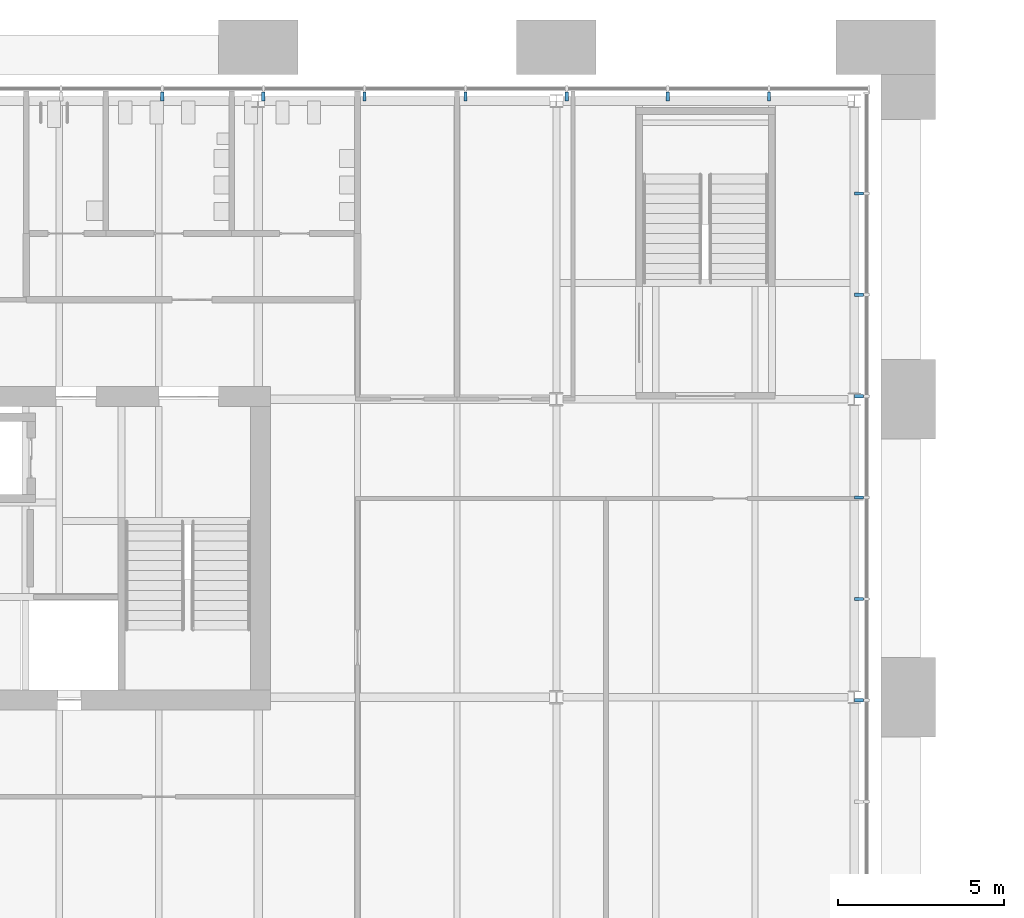
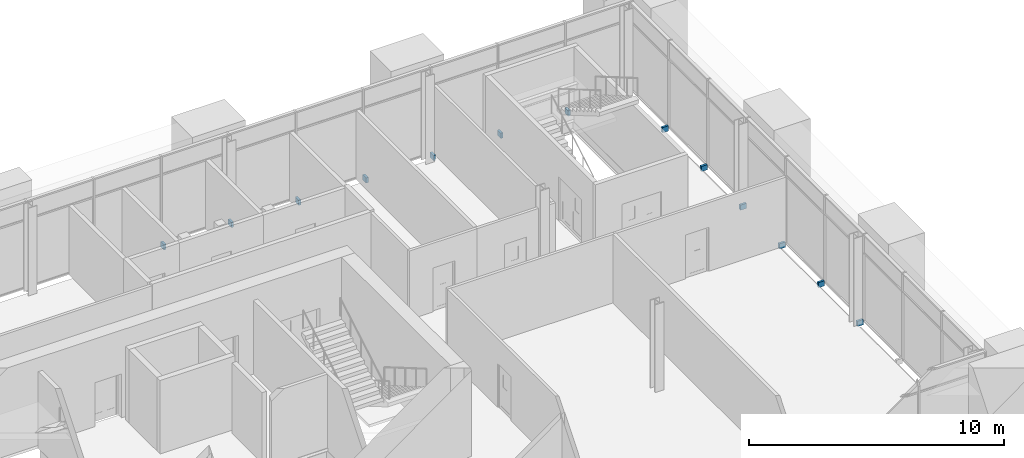
# One storey, part 35 of 43: 13 discrete accessories.
"""IFC4 building model written with IfcOpenShell, lengths in metres."""

import ifcopenshell
import ifcopenshell.guid

model = None  # the IFC model being written
_history = None  # IfcOwnerHistory: only IFC2X3 demands one
_inside = {}  # id of a spatial element -> (the spatial element, [elements in it])
_under = {}  # id of a project, library or spatial element -> (it, [spatial elements below it])
_declared = {}  # id of a project -> (the project, [libraries it declares])
_typed = {}  # id of a type object -> (the type object, [elements of that type])
_made_of = {}  # id of a material, layer set ... -> (it, [elements and type objects made of it])


def new_model(schema):
    """Start an empty IFC model of exactly this schema.

    Asked for "IFC4X3", IfcOpenShell would pick the latest addendum, in which some entities
    have other attributes; the version numbers below select the first issue.
    IFC2X3 requires an IfcOwnerHistory on every rooted entity: one is made here for all.
    """
    global model, _history
    if schema == "IFC4X3":
        model = ifcopenshell.file(schema_version=(4, 3, 0, 0))
    else:
        model = ifcopenshell.file(schema=schema)
    _inside.clear()
    _under.clear()
    _declared.clear()
    _typed.clear()
    _made_of.clear()
    _history = None
    if model.schema == "IFC2X3":
        org = make("IfcOrganization", Name="unknown")
        user = make(
            "IfcPersonAndOrganization",
            ThePerson=make("IfcPerson", FamilyName="unknown"),
            TheOrganization=org,
        )
        app = make(
            "IfcApplication",
            ApplicationDeveloper=org,
            Version="unknown",
            ApplicationFullName="unknown",
            ApplicationIdentifier="unknown",
        )
        _history = make(
            "IfcOwnerHistory",
            OwningUser=user,
            OwningApplication=app,
            ChangeAction="ADDED",
            CreationDate=0,
        )
    return model


def make(cls, **values):
    """One entity of the class cls with the attributes given. An attribute that is None is left unset."""
    return model.create_entity(
        cls, **{name: value for name, value in values.items() if value is not None}
    )


def rooted(cls, **values):
    """An entity with a GlobalId (a new one), such as an element, a storey or a relation."""
    return make(cls, GlobalId=ifcopenshell.guid.new(), OwnerHistory=_history, **values)


def si_unit(unit_type, name, prefix=None):
    """IfcSIUnit, for example si_unit("LENGTHUNIT", "METRE", prefix="MILLI")."""
    return make("IfcSIUnit", UnitType=unit_type, Prefix=prefix, Name=name)


def assignment(units):
    """IfcUnitAssignment: the units of a project."""
    return None if units is None else make("IfcUnitAssignment", Units=units)


def point(xyz):
    """IfcCartesianPoint."""
    return None if xyz is None else make("IfcCartesianPoint", Coordinates=xyz)


def direction(xyz):
    """IfcDirection."""
    return None if xyz is None else make("IfcDirection", DirectionRatios=xyz)


def frame(location, z_axis=None, x_axis=None):
    """IfcAxis2Placement3D, a coordinate frame: its origin and axes. An axis left out is left unset."""
    return make(
        "IfcAxis2Placement3D",
        Location=point(location),
        Axis=direction(z_axis),
        RefDirection=direction(x_axis),
    )


def frame_2d(location, x_axis=None):
    """IfcAxis2Placement2D, a coordinate frame in the plane: its origin and x axis."""
    return make(
        "IfcAxis2Placement2D", Location=point(location), RefDirection=direction(x_axis)
    )


def origin():
    """The frame at (0, 0, 0) with its axes left unset."""
    return frame((0.0, 0.0, 0.0))


def origin_2d():
    """The frame at (0, 0) in the plane with its x axis left unset."""
    return frame_2d((0.0, 0.0))


def place(relative_to, where):
    """IfcLocalPlacement: puts the frame where relative to a parent placement (None: the world)."""
    return make(
        "IfcLocalPlacement", PlacementRelTo=relative_to, RelativePlacement=where
    )


def context(
    kind, dimensions, precision=None, world=None, true_north=None, identifier=None
):
    """IfcGeometricRepresentationContext, for example the 3D "Model" context."""
    return make(
        "IfcGeometricRepresentationContext",
        ContextIdentifier=identifier,
        ContextType=kind,
        CoordinateSpaceDimension=dimensions,
        Precision=precision,
        WorldCoordinateSystem=world,
        TrueNorth=true_north,
    )


def subcontext(parent, identifier, kind, view, scale=None):
    """IfcGeometricRepresentationSubContext, for example "Body" below "Model"."""
    return make(
        "IfcGeometricRepresentationSubContext",
        ContextIdentifier=identifier,
        ContextType=kind,
        ParentContext=parent,
        TargetScale=scale,
        TargetView=view,
    )


def project(units=None, contexts=None):
    """IfcProject with its units and contexts."""
    return rooted(
        "IfcProject",
        Name="project",
        RepresentationContexts=contexts,
        UnitsInContext=assignment(units),
    )


def spatial(cls, under=None, at=None, **own):
    """A site, building, storey or space (cls), placed at a placement, below another one or the project."""
    s = rooted(cls, ObjectPlacement=at, **own)
    if under is not None:
        _under.setdefault(under.id(), (under, []))[1].append(s)
    return s


def profile(cls, at=None, kind="AREA", **sizes):
    """A parametric profile (cls). Its sizes go by their IFC names, for example OverallWidth=200.0."""
    return make(cls, ProfileType=kind, Position=at, **sizes)


def rectangle(**sizes):
    """IfcRectangleProfileDef."""
    return profile("IfcRectangleProfileDef", **sizes)


def extrude(swept, where, along, depth):
    """IfcExtrudedAreaSolid: the profile swept, set in the frame where, extruded along a direction by depth."""
    return make(
        "IfcExtrudedAreaSolid",
        SweptArea=swept,
        Position=where,
        ExtrudedDirection=direction(along),
        Depth=depth,
    )


def shape(context_of_items, identifier, shape_type, items):
    """IfcShapeRepresentation: the items that make up one representation, for example the "Body"."""
    return make(
        "IfcShapeRepresentation",
        ContextOfItems=context_of_items,
        RepresentationIdentifier=identifier,
        RepresentationType=shape_type,
        Items=items,
    )


def material(Name=None, Category=None):
    """IfcMaterial."""
    return make("IfcMaterial", Name=Name, Category=Category)


def made_of(thing, what):
    """Note that an element or type object is made of a material, layer set ...; save() writes the relation."""
    if what is not None:
        _made_of.setdefault(what.id(), (what, []))[1].append(thing)
    return thing


def type_object(cls, material=None, **own):
    """A type object (cls), such as IfcWallType, which elements share."""
    return made_of(rooted(cls, **own), material)


def element(
    cls,
    number,
    at=None,
    inside=None,
    cuts=None,
    type_object=None,
    material=None,
    context=None,
    identifier="Body",
    shape_type=None,
    held_by="IfcProductDefinitionShape",
    body=None,
    shapes=None,
    **own,
):
    """One element of the class cls, such as IfcWall. Its Tag is "e" and its number.

    at: its placement. inside: the storey or other place that contains it. cuts: it is an
    opening in that element (IfcRelVoidsElement). A single representation is given by context,
    identifier, shape_type and body (its items); several are given by shapes. held_by: the class
    of the entity that holds the representations. save() writes the other relations.
    """
    e = rooted(cls, Tag="e%d" % number, ObjectPlacement=at, **own)
    if body is not None:
        shapes = [shape(context, identifier, shape_type, body)]
    if shapes is not None:
        e.Representation = make(held_by, Representations=shapes)
    if inside is not None:
        _inside.setdefault(inside.id(), (inside, []))[1].append(e)
    if cuts is not None:
        rooted(
            "IfcRelVoidsElement", RelatingBuildingElement=cuts, RelatedOpeningElement=e
        )
    if type_object is not None:
        _typed.setdefault(type_object.id(), (type_object, []))[1].append(e)
    return made_of(e, material)


def aggregate(whole, parts):
    """IfcRelAggregates: a whole, such as a stair, and the parts it consists of."""
    return rooted("IfcRelAggregates", RelatingObject=whole, RelatedObjects=parts)


def save(model, path):
    """Write the relations noted so far, then the file.

    IfcRelAggregates (storeys below a building ...), IfcRelContainedInSpatialStructure (elements
    in a storey), IfcRelDefinesByType, IfcRelAssociatesMaterial and IfcRelDeclares: one each for
    every whole, place, type object, material and project.
    """
    for whole, parts in _under.values():
        aggregate(whole, parts)
    for where, things in _inside.values():
        rooted(
            "IfcRelContainedInSpatialStructure",
            RelatedElements=things,
            RelatingStructure=where,
        )
    for kind, things in _typed.values():
        rooted("IfcRelDefinesByType", RelatedObjects=things, RelatingType=kind)
    for what, things in _made_of.values():
        rooted("IfcRelAssociatesMaterial", RelatedObjects=things, RelatingMaterial=what)
    for by, libraries in _declared.values():
        rooted("IfcRelDeclares", RelatingContext=by, RelatedDefinitions=libraries)
    model.write(path)


model = new_model("IFC4")

# Units and contexts
model_context = context("Model", 3, precision=1e-05, world=origin(), true_north=direction((0.0, 1.0)))
body_context = subcontext(model_context, "Body", "Model", "MODEL_VIEW")
ifc_project = project(units=[si_unit("LENGTHUNIT", "METRE"), si_unit("AREAUNIT", "SQUARE_METRE"), si_unit("VOLUMEUNIT", "CUBIC_METRE"), si_unit("PLANEANGLEUNIT", "RADIAN"), si_unit("MASSUNIT", "GRAM", prefix="KILO")], contexts=[model_context])

# Site, building, storey
site_placement = place(None, origin())
site = spatial("IfcSite", under=ifc_project, at=site_placement, CompositionType="ELEMENT")
building_placement = place(site_placement, origin())
building = spatial("IfcBuilding", under=site, at=building_placement, Name="Baradari Gate Terminus", CompositionType="ELEMENT")
storey_placement = place(building_placement, frame((0.0, 0.0, 20.10009765625)))
storey = spatial("IfcBuildingStorey", under=building, at=storey_placement, Name="L04", CompositionType="ELEMENT", Elevation=20.10009765625)

# Discrete accessories
ifc_material = material(Name="Aluminium 6063-T6", Category="aluminium")
discrete_accessory_type = type_object("IfcDiscreteAccessoryType", Name="Curtain wall bracket BK-1 100x250", PredefinedType="BRACKET", material=ifc_material)
for number, where, z_axis, x_axis, name in (
    (1, (42.1044921875, 144.135009765625, -0.10009765625), (0.0, 0.0, 1.0), (0.0, 1.0, 0.0), "Curtain wall bracket BK-1 L04/TN mullion 12"),
    (2, (45.15673828125, 144.135009765625, -0.10009765625), (0.0, 0.0, 1.0), (0.0, 1.0, 0.0), "Curtain wall bracket BK-1 L04/TN mullion 13"),
    (3, (48.208984375, 144.135009765625, -0.10009765625), (0.0, 0.0, 1.0), (0.0, 1.0, 0.0), "Curtain wall bracket BK-1 L04/TN mullion 14"),
    (4, (51.26123046875, 144.135009765625, -0.10009765625), (0.0, 0.0, 1.0), (0.0, 1.0, 0.0), "Curtain wall bracket BK-1 L04/TN mullion 15"),
    (5, (54.313232421875, 144.135009765625, -0.10009765625), (0.0, 0.0, 1.0), (0.0, 1.0, 0.0), "Curtain wall bracket BK-1 L04/TN mullion 16"),
    (6, (57.365478515625, 144.135009765625, -0.10009765625), (0.0, 0.0, 1.0), (0.0, 1.0, 0.0), "Curtain wall bracket BK-1 L04/TN mullion 17"),
    (7, (60.417724609375, 144.135009765625, -0.10009765625), (0.0, 0.0, 1.0), (0.0, 1.0, 0.0), "Curtain wall bracket BK-1 L04/TN mullion 18"),
    (8, (63.135009765625, 125.909912109375, -0.10009765625), (0.0, 0.0, 1.0), (1.0, 0.0, 0.0), "Curtain wall bracket BK-1 L04/TE mullion 4"),
    (9, (63.135009765625, 128.969970703125, -0.10009765625), (0.0, 0.0, 1.0), (1.0, 0.0, 0.0), "Curtain wall bracket BK-1 L04/TE mullion 5"),
    (10, (63.135009765625, 132.030029296875, -0.10009765625), (0.0, 0.0, 1.0), (1.0, 0.0, 0.0), "Curtain wall bracket BK-1 L04/TE mullion 6"),
    (11, (63.135009765625, 135.090087890625, -0.10009765625), (0.0, 0.0, 1.0), (1.0, 0.0, 0.0), "Curtain wall bracket BK-1 L04/TE mullion 7"),
    (12, (63.135009765625, 138.14990234375, -0.10009765625), (0.0, 0.0, 1.0), (1.0, 0.0, 0.0), "Curtain wall bracket BK-1 L04/TE mullion 8"),
    (13, (63.135009765625, 141.2099609375, -0.10009765625), (0.0, 0.0, 1.0), (1.0, 0.0, 0.0), "Curtain wall bracket BK-1 L04/TE mullion 9"),
):
    element("IfcDiscreteAccessory", number, at=place(storey_placement, frame(where, z_axis=z_axis, x_axis=x_axis)), inside=storey, type_object=discrete_accessory_type, Name=name, PredefinedType="BRACKET", context=body_context, shape_type="SweptSolid", body=[
        extrude(rectangle(XDim=0.27001953125, YDim=0.10009765625, at=origin_2d()), origin(), (0.0, 0.0, 1.0), 0.25),
    ])

save(model, "model.ifc")
